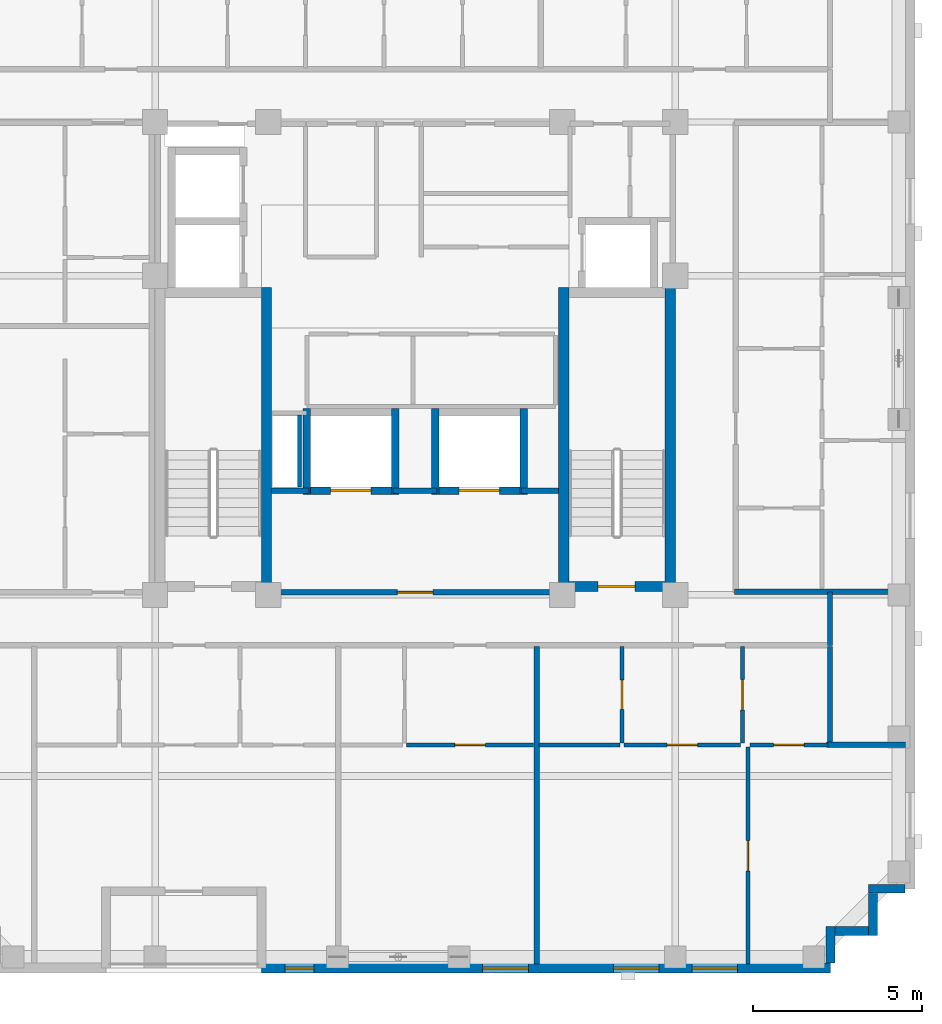
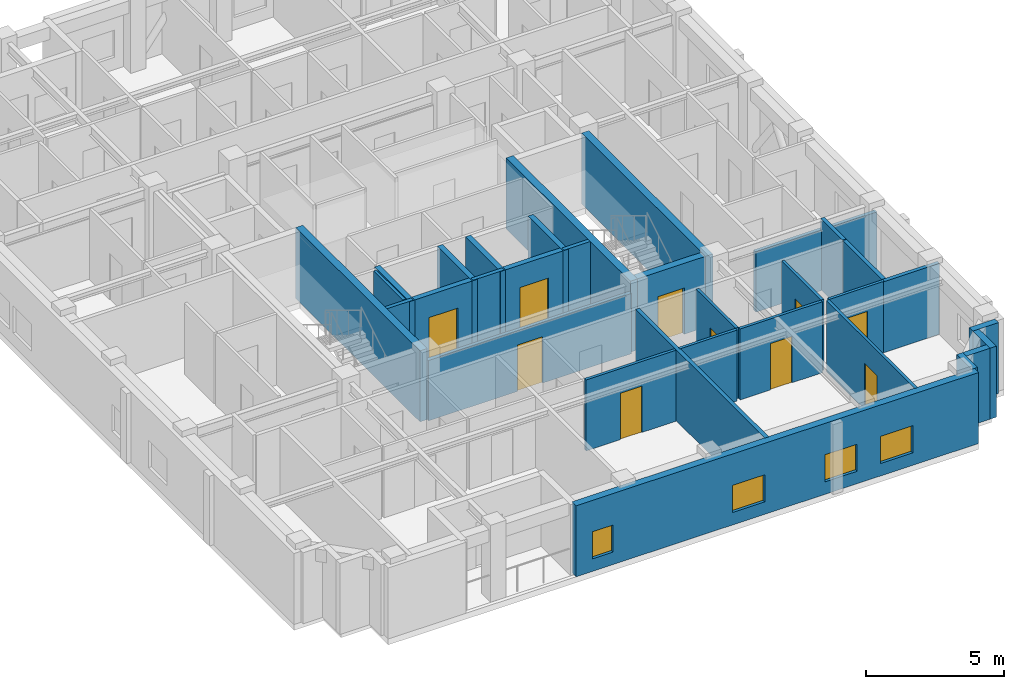
# One storey, part 3 of 11: 32 walls, 10 doors, 4 windows, 14 openings.
"""IFC4 building model written with IfcOpenShell, lengths in metres."""

from ifc_helpers import new_model, si_unit, derived_unit, direction, frame, frame_2d, origin, place, context, subcontext, project, spatial, rectangle, extrude, material, layer, layer_set, type_object, element, fill, save


model = new_model("IFC4")

# Units and contexts
model_context = context("Model", 3, precision=1e-05, world=origin(), true_north=direction((0.0, 1.0)))
body_context = subcontext(model_context, "Body", "Model", "MODEL_VIEW")
ifc_project = project(units=[si_unit("LENGTHUNIT", "METRE"), si_unit("AREAUNIT", "SQUARE_METRE"), si_unit("VOLUMEUNIT", "CUBIC_METRE"), si_unit("PLANEANGLEUNIT", "RADIAN"), si_unit("MASSUNIT", "GRAM", prefix="KILO"), derived_unit("THERMALTRANSMITTANCEUNIT", [(si_unit("MASSUNIT", "GRAM", prefix="KILO"), 1), (si_unit("TIMEUNIT", "SECOND"), -3), (si_unit("THERMODYNAMICTEMPERATUREUNIT", "KELVIN"), -1)])], contexts=[model_context])

# Site, building, storey
site_placement = place(None, origin())
site = spatial("IfcSite", under=ifc_project, at=site_placement, CompositionType="ELEMENT")
building_placement = place(site_placement, origin())
building = spatial("IfcBuilding", under=site, at=building_placement, Name="Korrvale Station Residences", CompositionType="ELEMENT")
storey_placement = place(building_placement, frame((0.0, 0.0, 254.699951171875)))
storey = spatial("IfcBuildingStorey", under=building, at=storey_placement, Name="L74", CompositionType="ELEMENT", Elevation=254.699951171875)

# Walls
ifc_material_1 = material(Name="Concrete C50/60", Category="concrete")
ifc_layer_1 = layer(ifc_material_1, 0.300048828125, Name="Concrete C50/60")
ifc_layer_set_1 = layer_set([ifc_layer_1], Name="Concrete C50/60")
wall_type_1 = type_object("IfcWallType", Name="WAL-CORE-300-C50", PredefinedType="SHEAR", material=ifc_layer_set_1)
for number, where, z_axis, x_axis, name in (
    (1, (21.10009765625, 15.10009765625, 0.0), (0.0, 0.0, 1.0), (0.0, 1.0, 0.0), "L74 ST-1 Core Shear Wall East"),
    (2, (29.89990234375, 15.10009765625, 0.0), (0.0, 0.0, 1.0), (0.0, 1.0, 0.0), "L74 ST-2 Core Shear Wall West"),
    (3, (33.050048828125, 15.10009765625, 0.0), (0.0, 0.0, 1.0), (0.0, 1.0, 0.0), "L74 ST-2 Core Shear Wall East"),
):
    element("IfcWall", number, at=place(storey_placement, frame(where, z_axis=z_axis, x_axis=x_axis)), inside=storey, type_object=wall_type_1, Name=name, PredefinedType="SHEAR", context=body_context, shape_type="SweptSolid", body=[
        extrude(rectangle(XDim=9.0, YDim=0.300048828125, at=frame_2d((4.5, 0.0))), origin(), (0.0, 0.0, 1.0), 3.14013671875),
    ])

# Wall, opening, door
wall_1_placement = place(storey_placement, frame((30.050048828125, 15.25, 0.0), z_axis=(0.0, 0.0, 1.0), x_axis=(1.0, 0.0, 0.0)))
wall_1 = element("IfcWall", 4, at=wall_1_placement, inside=storey, type_object=wall_type_1, Name="L74 ST-2 Core Shear Wall South", PredefinedType="SHEAR", context=body_context, shape_type="SweptSolid", body=[
    extrude(rectangle(XDim=2.849853515625, YDim=0.300048828125, at=frame_2d((1.4248046875, 0.0))), origin(), (0.0, 0.0, 1.0), 3.14013671875),
])
opening_1_placement = place(wall_1_placement, frame((0.860107421875, 0.0, 0.0)))
opening_1 = element("IfcOpeningElement", 5, at=opening_1_placement, cuts=wall_1, Name="Opening SD-1100", PredefinedType="OPENING", context=body_context, shape_type="SweptSolid", body=[
    extrude(rectangle(XDim=1.10009765625, YDim=2.050048828125, at=frame_2d((0.550048828125, 1.02490234375))), frame((0.0, 0.16015625, 0.0), z_axis=(0.0, -1.0, 0.0), x_axis=(1.0, 0.0, 0.0)), (0.0, 0.0, 1.0), 0.320068359375),
])
ifc_material_2 = material(Name="Hollow-metal fire-rated stair door with closer", Category="steel")
door_type_1 = type_object("IfcDoorType", Name="DR-STAIR-1100", OperationType="NOTDEFINED", PredefinedType="DOOR", material=ifc_material_2)
door_1_placement = place(opening_1_placement, origin())
door_1 = element("IfcDoor", 6, at=door_1_placement, inside=storey, type_object=door_type_1, Name="L74 ST-2 Exit Stair Door", OperationType="SINGLE_SWING_RIGHT", OverallHeight=2.050048828125, OverallWidth=1.10009765625, PredefinedType="DOOR", context=body_context, shape_type="SweptSolid", body=[
    extrude(rectangle(XDim=1.10009765625, YDim=2.050048828125, at=frame_2d((0.550048828125, 1.02490234375))), frame((0.0, 0.02490234375, 0.0), z_axis=(0.0, -1.0, 0.0), x_axis=(1.0, 0.0, 0.0)), (0.0, 0.0, 1.0), 0.050048828125),
])
fill(opening_1, door_1)

# Walls
ifc_material_3 = material(Name="Precast concrete C45/55", Category="concrete")
ifc_layer_2 = layer(ifc_material_3, 0.260009765625, Name="Precast concrete C45/55")
ifc_layer_set_2 = layer_set([ifc_layer_2], Name="Precast concrete C45/55")
wall_type_2 = type_object("IfcWallType", Name="WAL-EXT-LOG260", PredefinedType="SOLIDWALL", material=ifc_layer_set_2)
wall_2_placement = place(storey_placement, frame((39.998046875, 6.300048828125, 0.0), z_axis=(0.0, 0.0, 1.0), x_axis=(-1.0, 0.0, 0.0)))
element("IfcWall", 7, at=wall_2_placement, inside=storey, type_object=wall_type_2, Name="L74 Serrated Corner Precast Step SE-1", PredefinedType="SOLIDWALL", context=body_context, shape_type="SweptSolid", body=[
    extrude(rectangle(XDim=1.078125, YDim=0.260009765625, at=frame_2d((0.5390625, 0.0))), origin(), (0.0, 0.0, 1.0), 3.14013671875),
])
wall_3_placement = place(storey_placement, frame((39.050048828125, 6.16796875, 0.0), z_axis=(0.0, 0.0, 1.0), x_axis=(0.0, -1.0, 0.0)))
element("IfcWall", 8, at=wall_3_placement, inside=storey, type_object=wall_type_2, Name="L74 Serrated Corner Precast Step SE-2", PredefinedType="SOLIDWALL", context=body_context, shape_type="SweptSolid", body=[
    extrude(rectangle(XDim=1.248046875, YDim=0.260009765625, at=frame_2d((0.6240234375, 0.0))), origin(), (0.0, 0.0, 1.0), 3.14013671875),
])
wall_4_placement = place(storey_placement, frame((38.91796875, 5.050048828125, 0.0), z_axis=(0.0, 0.0, 1.0), x_axis=(-1.0, 0.0, 0.0)))
element("IfcWall", 9, at=wall_4_placement, inside=storey, type_object=wall_type_2, Name="L74 Serrated Corner Precast Step SE-3", PredefinedType="SOLIDWALL", context=body_context, shape_type="SweptSolid", body=[
    extrude(rectangle(XDim=0.986083984375, YDim=0.260009765625, at=frame_2d((0.4931640625, 0.0))), origin(), (0.0, 0.0, 1.0), 3.14013671875),
])
wall_5_placement = place(storey_placement, frame((37.800048828125, 5.179931640625, 0.0), z_axis=(0.0, 0.0, 1.0), x_axis=(0.0, -1.0, 0.0)))
element("IfcWall", 10, at=wall_5_placement, inside=storey, type_object=wall_type_2, Name="L74 Serrated Corner Precast Step SE-4", PredefinedType="SOLIDWALL", context=body_context, shape_type="SweptSolid", body=[
    extrude(rectangle(XDim=1.077880859375, YDim=0.260009765625, at=frame_2d((0.5390625, 0.0))), origin(), (0.0, 0.0, 1.0), 3.14013671875),
])

# Wall, openings, windows
ifc_layer_3 = layer(ifc_material_3, 0.300048828125, Name="Precast concrete C45/55")
ifc_layer_set_3 = layer_set([ifc_layer_3], Name="Precast concrete C45/55")
wall_type_3 = type_object("IfcWallType", Name="WAL-EXT-PC300", PredefinedType="SOLIDWALL", material=ifc_layer_set_3)
wall_6_placement = place(storey_placement, frame((37.800048828125, 3.949951171875, 0.0), z_axis=(0.0, 0.0, 1.0), x_axis=(-1.0, 0.0, 0.0)))
wall_6 = element("IfcWall", 11, at=wall_6_placement, inside=storey, type_object=wall_type_3, Name="L74 South Exterior Precast Wall 1", PredefinedType="SOLIDWALL", context=body_context, shape_type="SweptSolid", body=[
    extrude(rectangle(XDim=16.85009765625, YDim=0.300048828125, at=frame_2d((8.425048828125, 0.0))), origin(), (0.0, 0.0, 1.0), 3.14013671875),
])
opening_2_placement = place(wall_6_placement, frame((15.300048828125, 0.0, 0.550048828125)))
opening_2 = element("IfcOpeningElement", 12, at=opening_2_placement, cuts=wall_6, Name="Opening W-11", PredefinedType="OPENING", context=body_context, shape_type="SweptSolid", body=[
    extrude(rectangle(XDim=0.85009765625, YDim=1.199951171875, at=frame_2d((0.425048828125, 0.60009765625))), frame((0.0, 0.16015625, 0.0), z_axis=(0.0, -1.0, 0.0), x_axis=(1.0, 0.0, 0.0)), (0.0, 0.0, 1.0), 0.320068359375),
])
opening_3_placement = place(wall_6_placement, frame((8.949951171875, 0.0, 0.550048828125)))
opening_3 = element("IfcOpeningElement", 13, at=opening_3_placement, cuts=wall_6, Name="Opening W-10", PredefinedType="OPENING", context=body_context, shape_type="SweptSolid", body=[
    extrude(rectangle(XDim=1.35009765625, YDim=1.199951171875, at=frame_2d((0.675048828125, 0.60009765625))), frame((0.0, 0.16015625, 0.0), z_axis=(0.0, -1.0, 0.0), x_axis=(1.0, 0.0, 0.0)), (0.0, 0.0, 1.0), 0.320068359375),
])
opening_4_placement = place(wall_6_placement, frame((5.0849609375, 0.0, 0.550048828125)))
opening_4 = element("IfcOpeningElement", 14, at=opening_4_placement, cuts=wall_6, Name="Opening W-10", PredefinedType="OPENING", context=body_context, shape_type="SweptSolid", body=[
    extrude(rectangle(XDim=1.35009765625, YDim=1.199951171875, at=frame_2d((0.675048828125, 0.60009765625))), frame((0.0, 0.16015625, 0.0), z_axis=(0.0, -1.0, 0.0), x_axis=(1.0, 0.0, 0.0)), (0.0, 0.0, 1.0), 0.320068359375),
])
opening_5_placement = place(wall_6_placement, frame((2.757080078125, 0.0, 0.550048828125)))
opening_5 = element("IfcOpeningElement", 15, at=opening_5_placement, cuts=wall_6, Name="Opening W-10", PredefinedType="OPENING", context=body_context, shape_type="SweptSolid", body=[
    extrude(rectangle(XDim=1.35009765625, YDim=1.199951171875, at=frame_2d((0.675048828125, 0.60009765625))), frame((0.0, 0.16015625, 0.0), z_axis=(0.0, -1.0, 0.0), x_axis=(1.0, 0.0, 0.0)), (0.0, 0.0, 1.0), 0.320068359375),
])
ifc_material_4 = material(Name="Thermally broken aluminium frame with triple low-e glazing", Category="aluminium")
window_type_1 = type_object("IfcWindowType", Name="WIN-W10", PartitioningType="SINGLE_PANEL", PredefinedType="WINDOW", material=ifc_material_4)
window_1_placement = place(opening_3_placement, origin())
window_1 = element("IfcWindow", 16, at=window_1_placement, inside=storey, type_object=window_type_1, Name="L74 Punched Window 02", OverallHeight=1.199951171875, OverallWidth=1.35009765625, PartitioningType="SINGLE_PANEL", PredefinedType="WINDOW", context=body_context, shape_type="SweptSolid", body=[
    extrude(rectangle(XDim=1.35009765625, YDim=1.199951171875, at=frame_2d((0.675048828125, 0.60009765625))), frame((0.0, 0.030029296875, 0.0), z_axis=(0.0, -1.0, 0.0), x_axis=(1.0, 0.0, 0.0)), (0.0, 0.0, 1.0), 0.06005859375),
])
fill(opening_3, window_1)
window_2_placement = place(opening_4_placement, origin())
window_2 = element("IfcWindow", 17, at=window_2_placement, inside=storey, type_object=window_type_1, Name="L74 Punched Window 03", OverallHeight=1.199951171875, OverallWidth=1.35009765625, PartitioningType="SINGLE_PANEL", PredefinedType="WINDOW", context=body_context, shape_type="SweptSolid", body=[
    extrude(rectangle(XDim=1.35009765625, YDim=1.199951171875, at=frame_2d((0.675048828125, 0.60009765625))), frame((0.0, 0.030029296875, 0.0), z_axis=(0.0, -1.0, 0.0), x_axis=(1.0, 0.0, 0.0)), (0.0, 0.0, 1.0), 0.06005859375),
])
fill(opening_4, window_2)
window_3_placement = place(opening_5_placement, origin())
window_3 = element("IfcWindow", 18, at=window_3_placement, inside=storey, type_object=window_type_1, Name="L74 Punched Window 04", OverallHeight=1.199951171875, OverallWidth=1.35009765625, PartitioningType="SINGLE_PANEL", PredefinedType="WINDOW", context=body_context, shape_type="SweptSolid", body=[
    extrude(rectangle(XDim=1.35009765625, YDim=1.199951171875, at=frame_2d((0.675048828125, 0.60009765625))), frame((0.0, 0.030029296875, 0.0), z_axis=(0.0, -1.0, 0.0), x_axis=(1.0, 0.0, 0.0)), (0.0, 0.0, 1.0), 0.06005859375),
])
fill(opening_5, window_3)
window_type_2 = type_object("IfcWindowType", Name="WIN-W11", PartitioningType="SINGLE_PANEL", PredefinedType="WINDOW", material=ifc_material_4)
window_4_placement = place(opening_2_placement, origin())
window_4 = element("IfcWindow", 19, at=window_4_placement, inside=storey, type_object=window_type_2, Name="L74 Punched Window 01", OverallHeight=1.199951171875, OverallWidth=0.85009765625, PartitioningType="SINGLE_PANEL", PredefinedType="WINDOW", context=body_context, shape_type="SweptSolid", body=[
    extrude(rectangle(XDim=0.85009765625, YDim=1.199951171875, at=frame_2d((0.425048828125, 0.60009765625))), frame((0.0, 0.030029296875, 0.0), z_axis=(0.0, -1.0, 0.0), x_axis=(1.0, 0.0, 0.0)), (0.0, 0.0, 1.0), 0.06005859375),
])
fill(opening_2, window_4)

# Wall
ifc_material_5 = material(Name="Acoustic steel-stud gypsum board partition", Category="steel")
ifc_layer_4 = layer(ifc_material_5, 0.1201171875, Name="Acoustic steel-stud gypsum board partition")
ifc_layer_set_4 = layer_set([ifc_layer_4], Name="Acoustic steel-stud gypsum board partition")
wall_type_4 = type_object("IfcWallType", Name="WAL-PART-125", PredefinedType="PARTITIONING", material=ifc_layer_set_4)
wall_7_placement = place(storey_placement, frame((22.080078125, 18.199951171875, 0.0), z_axis=(0.0, 0.0, 1.0), x_axis=(0.0, 1.0, 0.0)))
element("IfcWall", 20, at=wall_7_placement, inside=storey, type_object=wall_type_4, Name="L74 Core Partition CW-RSWT", PredefinedType="PARTITIONING", context=body_context, shape_type="SweptSolid", body=[
    extrude(rectangle(XDim=2.1201171875, YDim=0.1201171875, at=frame_2d((1.06005859375, 0.0))), origin(), (0.0, 0.0, 1.0), 3.14013671875),
])

# Wall, opening, door
wall_8_placement = place(storey_placement, frame((25.25, 10.56005859375, 0.0), z_axis=(0.0, 0.0, 1.0), x_axis=(1.0, 0.0, 0.0)))
wall_8 = element("IfcWall", 21, at=wall_8_placement, inside=storey, type_object=wall_type_4, Name="L74 Suite Partition U02-H12", PredefinedType="PARTITIONING", context=body_context, shape_type="SweptSolid", body=[
    extrude(rectangle(XDim=3.7548828125, YDim=0.1201171875, at=frame_2d((1.87744140625, 0.0))), origin(), (0.0, 0.0, 1.0), 3.14013671875),
])
opening_6_placement = place(wall_8_placement, frame((1.427001953125, 0.0, 0.0)))
opening_6 = element("IfcOpeningElement", 22, at=opening_6_placement, cuts=wall_8, Name="Opening DI-900", PredefinedType="OPENING", context=body_context, shape_type="SweptSolid", body=[
    extrude(rectangle(XDim=0.89990234375, YDim=2.050048828125, at=frame_2d((0.449951171875, 1.02490234375))), frame((0.0, 0.070068359375, 0.0), z_axis=(0.0, -1.0, 0.0), x_axis=(1.0, 0.0, 0.0)), (0.0, 0.0, 1.0), 0.14013671875),
])
ifc_material_6 = material(Name="Painted solid-core timber interior room door", Category="wood")
door_type_2 = type_object("IfcDoorType", Name="DR-INT-900", OperationType="NOTDEFINED", PredefinedType="DOOR", material=ifc_material_6)
door_2_placement = place(opening_6_placement, origin())
door_2 = element("IfcDoor", 23, at=door_2_placement, inside=storey, type_object=door_type_2, Name="L74 Studio Apartment L74-U02 Kitchen Door", OperationType="SINGLE_SWING_RIGHT", OverallHeight=2.050048828125, OverallWidth=0.89990234375, PredefinedType="DOOR", context=body_context, shape_type="SweptSolid", body=[
    extrude(rectangle(XDim=0.89990234375, YDim=2.050048828125, at=frame_2d((0.449951171875, 1.02490234375))), frame((0.0, 0.02490234375, 0.0), z_axis=(0.0, -1.0, 0.0), x_axis=(1.0, 0.0, 0.0)), (0.0, 0.0, 1.0), 0.050048828125),
])
fill(opening_6, door_2)

wall_9_placement = place(storey_placement, frame((31.625, 10.6201171875, 0.0), z_axis=(0.0, 0.0, 1.0), x_axis=(0.0, 1.0, 0.0)))
wall_9 = element("IfcWall", 24, at=wall_9_placement, inside=storey, type_object=wall_type_4, Name="L74 Suite Partition U03-V01", PredefinedType="PARTITIONING", context=body_context, shape_type="SweptSolid", body=[
    extrude(rectangle(XDim=2.849853515625, YDim=0.1201171875, at=frame_2d((1.4248046875, 0.0))), origin(), (0.0, 0.0, 1.0), 3.14013671875),
])
opening_7_placement = place(wall_9_placement, frame((0.9951171875, 0.0, 0.0)))
opening_7 = element("IfcOpeningElement", 25, at=opening_7_placement, cuts=wall_9, Name="Opening DB-860", PredefinedType="OPENING", context=body_context, shape_type="SweptSolid", body=[
    extrude(rectangle(XDim=0.860107421875, YDim=2.050048828125, at=frame_2d((0.43017578125, 1.02490234375))), frame((0.0, 0.070068359375, 0.0), z_axis=(0.0, -1.0, 0.0), x_axis=(1.0, 0.0, 0.0)), (0.0, 0.0, 1.0), 0.14013671875),
])
ifc_material_7 = material(Name="Moisture-resistant solid-core bathroom door", Category="timber")
door_type_3 = type_object("IfcDoorType", Name="DR-BATH-860", OperationType="NOTDEFINED", PredefinedType="DOOR", material=ifc_material_7)
door_3_placement = place(opening_7_placement, origin())
door_3 = element("IfcDoor", 26, at=door_3_placement, inside=storey, type_object=door_type_3, Name="L74 Apartment 1BR L74-U03 Bathroom Door", OperationType="SINGLE_SWING_LEFT", OverallHeight=2.050048828125, OverallWidth=0.860107421875, PredefinedType="DOOR", context=body_context, shape_type="SweptSolid", body=[
    extrude(rectangle(XDim=0.860107421875, YDim=2.050048828125, at=frame_2d((0.43017578125, 1.02490234375))), frame((0.0, 0.02490234375, 0.0), z_axis=(0.0, -1.0, 0.0), x_axis=(1.0, 0.0, 0.0)), (0.0, 0.0, 1.0), 0.050048828125),
])
fill(opening_7, door_3)

# Wall
wall_10_placement = place(storey_placement, frame((29.1650390625, 10.56005859375, 0.0), z_axis=(0.0, 0.0, 1.0), x_axis=(1.0, 0.0, 0.0)))
element("IfcWall", 27, at=wall_10_placement, inside=storey, type_object=wall_type_4, Name="L74 Suite Partition U03-H03", PredefinedType="PARTITIONING", context=body_context, shape_type="SweptSolid", body=[
    extrude(rectangle(XDim=2.39990234375, YDim=0.1201171875, at=frame_2d((1.199951171875, 0.0))), origin(), (0.0, 0.0, 1.0), 3.14013671875),
])

# Wall, opening, door
wall_11_placement = place(storey_placement, frame((35.195068359375, 10.6201171875, 0.0), z_axis=(0.0, 0.0, 1.0), x_axis=(0.0, 1.0, 0.0)))
wall_11 = element("IfcWall", 28, at=wall_11_placement, inside=storey, type_object=wall_type_4, Name="L74 Suite Partition U03-V12", PredefinedType="PARTITIONING", context=body_context, shape_type="SweptSolid", body=[
    extrude(rectangle(XDim=2.849853515625, YDim=0.1201171875, at=frame_2d((1.4248046875, 0.0))), origin(), (0.0, 0.0, 1.0), 3.14013671875),
])
opening_8_placement = place(wall_11_placement, frame((0.97509765625, 0.0, 0.0)))
opening_8 = element("IfcOpeningElement", 29, at=opening_8_placement, cuts=wall_11, Name="Opening DI-900", PredefinedType="OPENING", context=body_context, shape_type="SweptSolid", body=[
    extrude(rectangle(XDim=0.89990234375, YDim=2.050048828125, at=frame_2d((0.449951171875, 1.02490234375))), frame((0.0, 0.070068359375, 0.0), z_axis=(0.0, -1.0, 0.0), x_axis=(1.0, 0.0, 0.0)), (0.0, 0.0, 1.0), 0.14013671875),
])
door_4_placement = place(opening_8_placement, origin())
door_4 = element("IfcDoor", 30, at=door_4_placement, inside=storey, type_object=door_type_2, Name="L74 Apartment 1BR L74-U03 Kitchen Door", OperationType="SINGLE_SWING_RIGHT", OverallHeight=2.050048828125, OverallWidth=0.89990234375, PredefinedType="DOOR", context=body_context, shape_type="SweptSolid", body=[
    extrude(rectangle(XDim=0.89990234375, YDim=2.050048828125, at=frame_2d((0.449951171875, 1.02490234375))), frame((0.0, 0.02490234375, 0.0), z_axis=(0.0, -1.0, 0.0), x_axis=(1.0, 0.0, 0.0)), (0.0, 0.0, 1.0), 0.050048828125),
])
fill(opening_8, door_4)

wall_12_placement = place(storey_placement, frame((31.68505859375, 10.56005859375, 0.0), z_axis=(0.0, 0.0, 1.0), x_axis=(1.0, 0.0, 0.0)))
wall_12 = element("IfcWall", 31, at=wall_12_placement, inside=storey, type_object=wall_type_4, Name="L74 Suite Partition U03-H13", PredefinedType="PARTITIONING", context=body_context, shape_type="SweptSolid", body=[
    extrude(rectangle(XDim=3.449951171875, YDim=0.1201171875, at=frame_2d((1.72509765625, 0.0))), origin(), (0.0, 0.0, 1.0), 3.14013671875),
])
opening_9_placement = place(wall_12_placement, frame((1.27490234375, 0.0, 0.0)))
opening_9 = element("IfcOpeningElement", 32, at=opening_9_placement, cuts=wall_12, Name="Opening DI-900", PredefinedType="OPENING", context=body_context, shape_type="SweptSolid", body=[
    extrude(rectangle(XDim=0.89990234375, YDim=2.050048828125, at=frame_2d((0.449951171875, 1.02490234375))), frame((0.0, 0.070068359375, 0.0), z_axis=(0.0, -1.0, 0.0), x_axis=(1.0, 0.0, 0.0)), (0.0, 0.0, 1.0), 0.14013671875),
])
door_5_placement = place(opening_9_placement, origin())
door_5 = element("IfcDoor", 33, at=door_5_placement, inside=storey, type_object=door_type_2, Name="L74 Apartment 1BR L74-U03 Kitchen Door", OperationType="SINGLE_SWING_LEFT", OverallHeight=2.050048828125, OverallWidth=0.89990234375, PredefinedType="DOOR", context=body_context, shape_type="SweptSolid", body=[
    extrude(rectangle(XDim=0.89990234375, YDim=2.050048828125, at=frame_2d((0.449951171875, 1.02490234375))), frame((0.0, 0.02490234375, 0.0), z_axis=(0.0, -1.0, 0.0), x_axis=(1.0, 0.0, 0.0)), (0.0, 0.0, 1.0), 0.050048828125),
])
fill(opening_9, door_5)

wall_13_placement = place(storey_placement, frame((35.409912109375, 10.56005859375, 0.0), z_axis=(0.0, 0.0, 1.0), x_axis=(1.0, 0.0, 0.0)))
wall_13 = element("IfcWall", 34, at=wall_13_placement, inside=storey, type_object=wall_type_4, Name="L74 Suite Partition U03-H24", PredefinedType="PARTITIONING", context=body_context, shape_type="SweptSolid", body=[
    extrude(rectangle(XDim=2.31005859375, YDim=0.1201171875, at=frame_2d((1.155029296875, 0.0))), origin(), (0.0, 0.0, 1.0), 3.14013671875),
])
opening_10_placement = place(wall_13_placement, frame((0.705078125, 0.0, 0.0)))
opening_10 = element("IfcOpeningElement", 35, at=opening_10_placement, cuts=wall_13, Name="Opening DI-900", PredefinedType="OPENING", context=body_context, shape_type="SweptSolid", body=[
    extrude(rectangle(XDim=0.89990234375, YDim=2.050048828125, at=frame_2d((0.449951171875, 1.02490234375))), frame((0.0, 0.070068359375, 0.0), z_axis=(0.0, -1.0, 0.0), x_axis=(1.0, 0.0, 0.0)), (0.0, 0.0, 1.0), 0.14013671875),
])
door_6_placement = place(opening_10_placement, origin())
door_6 = element("IfcDoor", 36, at=door_6_placement, inside=storey, type_object=door_type_2, Name="L74 Apartment 1BR L74-U03 Utility and Laundry Room Door", OperationType="SINGLE_SWING_RIGHT", OverallHeight=2.050048828125, OverallWidth=0.89990234375, PredefinedType="DOOR", context=body_context, shape_type="SweptSolid", body=[
    extrude(rectangle(XDim=0.89990234375, YDim=2.050048828125, at=frame_2d((0.449951171875, 1.02490234375))), frame((0.0, 0.02490234375, 0.0), z_axis=(0.0, -1.0, 0.0), x_axis=(1.0, 0.0, 0.0)), (0.0, 0.0, 1.0), 0.050048828125),
])
fill(opening_10, door_6)

wall_14_placement = place(storey_placement, frame((35.35009765625, 4.080078125, 0.0), z_axis=(0.0, 0.0, 1.0), x_axis=(0.0, 1.0, 0.0)))
wall_14 = element("IfcWall", 37, at=wall_14_placement, inside=storey, type_object=wall_type_4, Name="L74 Suite Partition U03-V34", PredefinedType="PARTITIONING", context=body_context, shape_type="SweptSolid", body=[
    extrude(rectangle(XDim=6.419921875, YDim=0.1201171875, at=frame_2d((3.2099609375, 0.0))), origin(), (0.0, 0.0, 1.0), 3.14013671875),
])
opening_11_placement = place(wall_14_placement, frame((2.7451171875, 0.0, 0.0)))
opening_11 = element("IfcOpeningElement", 38, at=opening_11_placement, cuts=wall_14, Name="Opening DI-900", PredefinedType="OPENING", context=body_context, shape_type="SweptSolid", body=[
    extrude(rectangle(XDim=0.89990234375, YDim=2.050048828125, at=frame_2d((0.449951171875, 1.02490234375))), frame((0.0, 0.070068359375, 0.0), z_axis=(0.0, -1.0, 0.0), x_axis=(1.0, 0.0, 0.0)), (0.0, 0.0, 1.0), 0.14013671875),
])
door_7_placement = place(opening_11_placement, origin())
door_7 = element("IfcDoor", 39, at=door_7_placement, inside=storey, type_object=door_type_2, Name="L74 Apartment 1BR L74-U03 Living and Dining Room Door", OperationType="SINGLE_SWING_LEFT", OverallHeight=2.050048828125, OverallWidth=0.89990234375, PredefinedType="DOOR", context=body_context, shape_type="SweptSolid", body=[
    extrude(rectangle(XDim=0.89990234375, YDim=2.050048828125, at=frame_2d((0.449951171875, 1.02490234375))), frame((0.0, 0.02490234375, 0.0), z_axis=(0.0, -1.0, 0.0), x_axis=(1.0, 0.0, 0.0)), (0.0, 0.0, 1.0), 0.050048828125),
])
fill(opening_11, door_7)

ifc_material_8 = material(Name="Fire-rated twin-stud gypsum and mineral wool shaftwall assembly", Category="gypsum")
ifc_layer_5 = layer(ifc_material_8, 0.159912109375, Name="Fire-rated twin-stud gypsum and mineral wool shaftwall assembly")
ifc_layer_set_5 = layer_set([ifc_layer_5], Name="Fire-rated twin-stud gypsum and mineral wool shaftwall assembly")
wall_type_5 = type_object("IfcWallType", Name="WAL-PART-200", PredefinedType="PARTITIONING", material=ifc_layer_set_5)
wall_15_placement = place(storey_placement, frame((21.25, 15.080078125, 0.0), z_axis=(0.0, 0.0, 1.0), x_axis=(1.0, 0.0, 0.0)))
wall_15 = element("IfcWall", 40, at=wall_15_placement, inside=storey, type_object=wall_type_5, Name="L74 Core Partition CW-FFL-S", PredefinedType="PARTITIONING", context=body_context, shape_type="SweptSolid", body=[
    extrude(rectangle(XDim=8.5, YDim=0.159912109375, at=frame_2d((4.25, 0.0))), origin(), (0.0, 0.0, 1.0), 2.66796875),
])
opening_12_placement = place(wall_15_placement, frame((3.72509765625, 0.0, 0.0)))
opening_12 = element("IfcOpeningElement", 41, at=opening_12_placement, cuts=wall_15, Name="Opening FD-1050", PredefinedType="OPENING", context=body_context, shape_type="SweptSolid", body=[
    extrude(rectangle(XDim=1.050048828125, YDim=2.050048828125, at=frame_2d((0.52490234375, 1.02490234375))), frame((0.0, 0.08984375, 0.0), z_axis=(0.0, -1.0, 0.0), x_axis=(1.0, 0.0, 0.0)), (0.0, 0.0, 1.0), 0.179931640625),
])
ifc_material_9 = material(Name="Fire-rated mineral-core timber lobby door", Category="wood")
door_type_4 = type_object("IfcDoorType", Name="DR-CORE-1050", OperationType="NOTDEFINED", PredefinedType="DOOR", material=ifc_material_9)
door_8_placement = place(opening_12_placement, origin())
door_8 = element("IfcDoor", 42, at=door_8_placement, inside=storey, type_object=door_type_4, Name="L74 Firefighting Lobby Entry Door", OperationType="SINGLE_SWING_LEFT", OverallHeight=2.050048828125, OverallWidth=1.050048828125, PredefinedType="DOOR", context=body_context, shape_type="SweptSolid", body=[
    extrude(rectangle(XDim=1.050048828125, YDim=2.050048828125, at=frame_2d((0.52490234375, 1.02490234375))), frame((0.0, 0.02490234375, 0.0), z_axis=(0.0, -1.0, 0.0), x_axis=(1.0, 0.0, 0.0)), (0.0, 0.0, 1.0), 0.050048828125),
])
fill(opening_12, door_8)

# Walls
wall_16_placement = place(storey_placement, frame((21.25, 18.080078125, 0.0), z_axis=(0.0, 0.0, 1.0), x_axis=(1.0, 0.0, 0.0)))
element("IfcWall", 43, at=wall_16_placement, inside=storey, type_object=wall_type_5, Name="L74 Core Partition CW-FFL-N1", PredefinedType="PARTITIONING", context=body_context, shape_type="SweptSolid", body=[
    extrude(rectangle(XDim=1.10009765625, YDim=0.159912109375, at=frame_2d((0.550048828125, 0.0))), origin(), (0.0, 0.0, 1.0), 3.14013671875),
])
wall_17_placement = place(storey_placement, frame((24.85009765625, 18.080078125, 0.0), z_axis=(0.0, 0.0, 1.0), x_axis=(1.0, 0.0, 0.0)))
element("IfcWall", 44, at=wall_17_placement, inside=storey, type_object=wall_type_5, Name="L74 Core Partition CW-FFL-N2", PredefinedType="PARTITIONING", context=body_context, shape_type="SweptSolid", body=[
    extrude(rectangle(XDim=1.2998046875, YDim=0.159912109375, at=frame_2d((0.64990234375, 0.0))), origin(), (0.0, 0.0, 1.0), 3.14013671875),
])
wall_18_placement = place(storey_placement, frame((28.64990234375, 18.080078125, 0.0), z_axis=(0.0, 0.0, 1.0), x_axis=(1.0, 0.0, 0.0)))
element("IfcWall", 45, at=wall_18_placement, inside=storey, type_object=wall_type_5, Name="L74 Core Partition CW-FFL-N3", PredefinedType="PARTITIONING", context=body_context, shape_type="SweptSolid", body=[
    extrude(rectangle(XDim=1.10009765625, YDim=0.159912109375, at=frame_2d((0.550048828125, 0.0))), origin(), (0.0, 0.0, 1.0), 3.14013671875),
])
wall_19_placement = place(storey_placement, frame((37.780029296875, 13.510009765625, 0.0), z_axis=(0.0, 0.0, 1.0), x_axis=(0.0, 1.0, 0.0)))
element("IfcWall", 46, at=wall_19_placement, inside=storey, type_object=wall_type_5, Name="L74 Corridor South East Cap", PredefinedType="PARTITIONING", context=body_context, shape_type="SweptSolid", body=[
    extrude(rectangle(XDim=1.580078125, YDim=0.159912109375, at=frame_2d((0.7900390625, 0.0))), origin(), (0.0, 0.0, 1.0), 3.14013671875),
])
wall_20_placement = place(storey_placement, frame((34.949951171875, 15.090087890625, 0.0), z_axis=(0.0, 0.0, 1.0), x_axis=(1.0, 0.0, 0.0)))
element("IfcWall", 47, at=wall_20_placement, inside=storey, type_object=wall_type_5, Name="L74 East Wing South Corridor Wall", PredefinedType="PARTITIONING", context=body_context, shape_type="SweptSolid", body=[
    extrude(rectangle(XDim=5.070068359375, YDim=0.159912109375, at=frame_2d((2.53515625, 0.0))), origin(), (0.0, 0.0, 1.0), 2.66796875),
])
wall_21_placement = place(storey_placement, frame((37.679931640625, 10.56005859375, 0.0), z_axis=(0.0, 0.0, 1.0), x_axis=(1.0, 0.0, 0.0)))
element("IfcWall", 48, at=wall_21_placement, inside=storey, type_object=wall_type_5, Name="L74 Corner Step Wall U03-R", PredefinedType="PARTITIONING", context=body_context, shape_type="SweptSolid", body=[
    extrude(rectangle(XDim=2.340087890625, YDim=0.159912109375, at=frame_2d((1.169921875, 0.0))), origin(), (0.0, 0.0, 1.0), 3.14013671875),
])
wall_22_placement = place(storey_placement, frame((37.780029296875, 10.56005859375, 0.0), z_axis=(0.0, 0.0, 1.0), x_axis=(0.0, 1.0, 0.0)))
element("IfcWall", 49, at=wall_22_placement, inside=storey, type_object=wall_type_5, Name="L74 Corner Step Cheek U03-R", PredefinedType="PARTITIONING", context=body_context, shape_type="SweptSolid", body=[
    extrude(rectangle(XDim=2.909912109375, YDim=0.159912109375, at=frame_2d((1.455078125, 0.0))), origin(), (0.0, 0.0, 1.0), 3.14013671875),
])
wall_23_placement = place(storey_placement, frame((29.10498046875, 4.080078125, 0.0), z_axis=(0.0, 0.0, 1.0), x_axis=(0.0, 1.0, 0.0)))
element("IfcWall", 50, at=wall_23_placement, inside=storey, type_object=wall_type_5, Name="L74 Demising Wall U03-W", PredefinedType="PARTITIONING", context=body_context, shape_type="SweptSolid", body=[
    extrude(rectangle(XDim=9.389892578125, YDim=0.159912109375, at=frame_2d((4.69482421875, 0.0))), origin(), (0.0, 0.0, 1.0), 3.14013671875),
])

# Wall, opening, door
ifc_layer_6 = layer(ifc_material_1, 0.219970703125, Name="Concrete C50/60")
ifc_layer_set_6 = layer_set([ifc_layer_6], Name="Concrete C50/60")
wall_type_6 = type_object("IfcWallType", Name="WAL-SHAFT-220-C50", PredefinedType="SHEAR", material=ifc_layer_set_6)
wall_24_placement = place(storey_placement, frame((22.39990234375, 18.090087890625, 0.0), z_axis=(0.0, 0.0, 1.0), x_axis=(1.0, 0.0, 0.0)))
wall_24 = element("IfcWall", 51, at=wall_24_placement, inside=storey, type_object=wall_type_6, Name="L74 Elevator FFL-1 Hoistway Wall South", PredefinedType="SHEAR", context=body_context, shape_type="SweptSolid", body=[
    extrude(rectangle(XDim=2.400146484375, YDim=0.219970703125, at=frame_2d((1.2001953125, 0.0))), origin(), (0.0, 0.0, 1.0), 3.14013671875),
])
opening_13_placement = place(wall_24_placement, frame((0.60009765625, 0.0, 0.0)))
opening_13 = element("IfcOpeningElement", 52, at=opening_13_placement, cuts=wall_24, Name="Opening LD-FF1200", PredefinedType="OPENING", context=body_context, shape_type="SweptSolid", body=[
    extrude(rectangle(XDim=1.199951171875, YDim=2.14990234375, at=frame_2d((0.60009765625, 1.074951171875))), frame((0.0, 0.1201171875, 0.0), z_axis=(0.0, -1.0, 0.0), x_axis=(1.0, 0.0, 0.0)), (0.0, 0.0, 1.0), 0.239990234375),
])
ifc_material_10 = material(Name="Stainless-steel firefighter elevator landing sliding door", Category="steel")
door_type_5 = type_object("IfcDoorType", Name="DR-LIFT-FF1200", OperationType="SLIDING_TO_LEFT", PredefinedType="DOOR", material=ifc_material_10)
door_9_placement = place(opening_13_placement, origin())
door_9 = element("IfcDoor", 53, at=door_9_placement, inside=storey, type_object=door_type_5, Name="L74 Elevator FFL-1 Sliding Landing Door", OperationType="SLIDING_TO_LEFT", OverallHeight=2.14990234375, OverallWidth=1.199951171875, PredefinedType="DOOR", context=body_context, shape_type="SweptSolid", body=[
    extrude(rectangle(XDim=1.199951171875, YDim=2.14990234375, at=frame_2d((0.60009765625, 1.074951171875))), frame((0.0, 0.02490234375, 0.0), z_axis=(0.0, -1.0, 0.0), x_axis=(1.0, 0.0, 0.0)), (0.0, 0.0, 1.0), 0.050048828125),
])
fill(opening_13, door_9)

# Walls
for number, where, z_axis, x_axis, name in (
    (54, (22.2900390625, 17.97998046875, 0.0), (0.0, 0.0, 1.0), (0.0, 1.0, 0.0), "L74 Elevator FFL-1 Hoistway Wall West"),
    (55, (24.909912109375, 17.97998046875, 0.0), (0.0, 0.0, 1.0), (0.0, 1.0, 0.0), "L74 Elevator FFL-1 Hoistway Wall East"),
):
    element("IfcWall", number, at=place(storey_placement, frame(where, z_axis=z_axis, x_axis=x_axis)), inside=storey, type_object=wall_type_6, Name=name, PredefinedType="SHEAR", context=body_context, shape_type="SweptSolid", body=[
        extrude(rectangle(XDim=2.5400390625, YDim=0.219970703125, at=frame_2d((1.27001953125, 0.0))), origin(), (0.0, 0.0, 1.0), 3.14013671875),
    ])

# Wall, opening, door
wall_25_placement = place(storey_placement, frame((26.199951171875, 18.090087890625, 0.0), z_axis=(0.0, 0.0, 1.0), x_axis=(1.0, 0.0, 0.0)))
wall_25 = element("IfcWall", 56, at=wall_25_placement, inside=storey, type_object=wall_type_6, Name="L74 Elevator FFL-2 Hoistway Wall South", PredefinedType="SHEAR", context=body_context, shape_type="SweptSolid", body=[
    extrude(rectangle(XDim=2.400146484375, YDim=0.219970703125, at=frame_2d((1.2001953125, 0.0))), origin(), (0.0, 0.0, 1.0), 3.14013671875),
])
opening_14_placement = place(wall_25_placement, frame((0.60009765625, 0.0, 0.0)))
opening_14 = element("IfcOpeningElement", 57, at=opening_14_placement, cuts=wall_25, Name="Opening LD-FF1200", PredefinedType="OPENING", context=body_context, shape_type="SweptSolid", body=[
    extrude(rectangle(XDim=1.199951171875, YDim=2.14990234375, at=frame_2d((0.60009765625, 1.074951171875))), frame((0.0, 0.1201171875, 0.0), z_axis=(0.0, -1.0, 0.0), x_axis=(1.0, 0.0, 0.0)), (0.0, 0.0, 1.0), 0.239990234375),
])
door_10_placement = place(opening_14_placement, origin())
door_10 = element("IfcDoor", 58, at=door_10_placement, inside=storey, type_object=door_type_5, Name="L74 Elevator FFL-2 Sliding Landing Door", OperationType="SLIDING_TO_LEFT", OverallHeight=2.14990234375, OverallWidth=1.199951171875, PredefinedType="DOOR", context=body_context, shape_type="SweptSolid", body=[
    extrude(rectangle(XDim=1.199951171875, YDim=2.14990234375, at=frame_2d((0.60009765625, 1.074951171875))), frame((0.0, 0.02490234375, 0.0), z_axis=(0.0, -1.0, 0.0), x_axis=(1.0, 0.0, 0.0)), (0.0, 0.0, 1.0), 0.050048828125),
])
fill(opening_14, door_10)

# Walls
for number, where, z_axis, x_axis, name in (
    (59, (26.090087890625, 17.97998046875, 0.0), (0.0, 0.0, 1.0), (0.0, 1.0, 0.0), "L74 Elevator FFL-2 Hoistway Wall West"),
    (60, (28.7099609375, 17.97998046875, 0.0), (0.0, 0.0, 1.0), (0.0, 1.0, 0.0), "L74 Elevator FFL-2 Hoistway Wall East"),
):
    element("IfcWall", number, at=place(storey_placement, frame(where, z_axis=z_axis, x_axis=x_axis)), inside=storey, type_object=wall_type_6, Name=name, PredefinedType="SHEAR", context=body_context, shape_type="SweptSolid", body=[
        extrude(rectangle(XDim=2.5400390625, YDim=0.219970703125, at=frame_2d((1.27001953125, 0.0))), origin(), (0.0, 0.0, 1.0), 3.14013671875),
    ])

save(model, "model.ifc")
